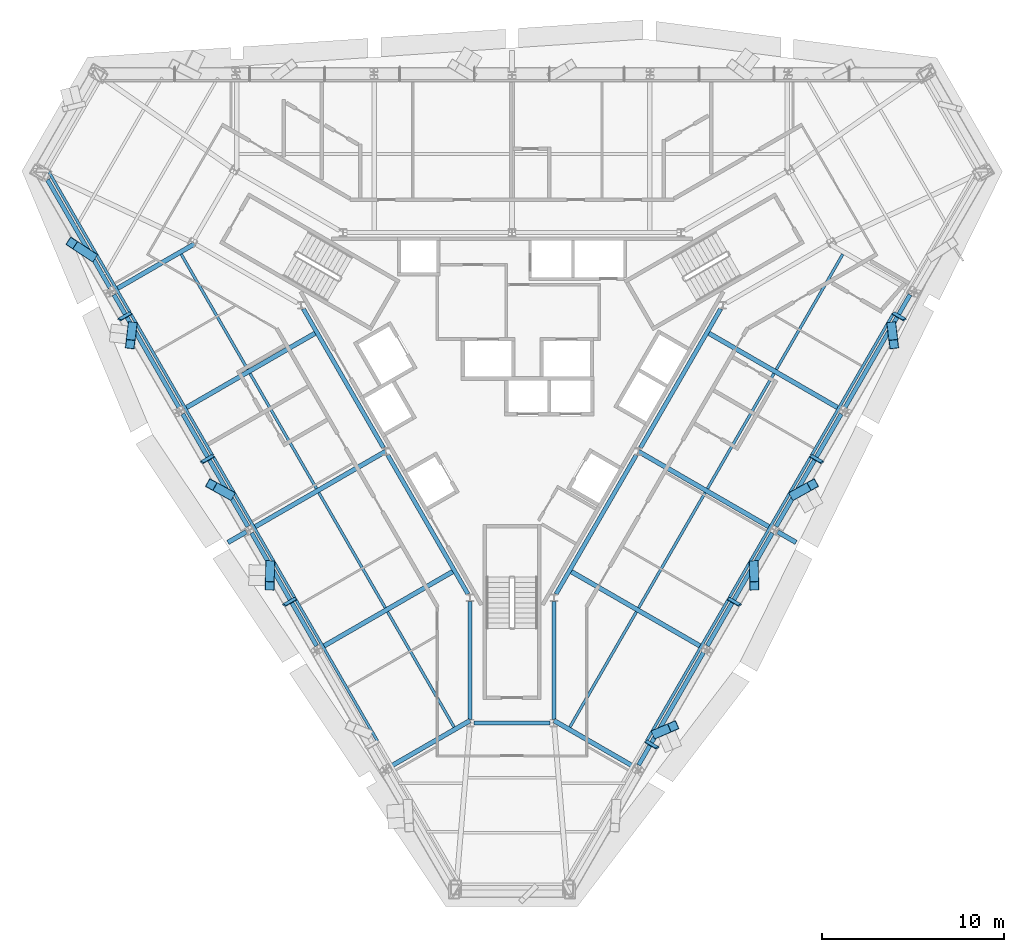
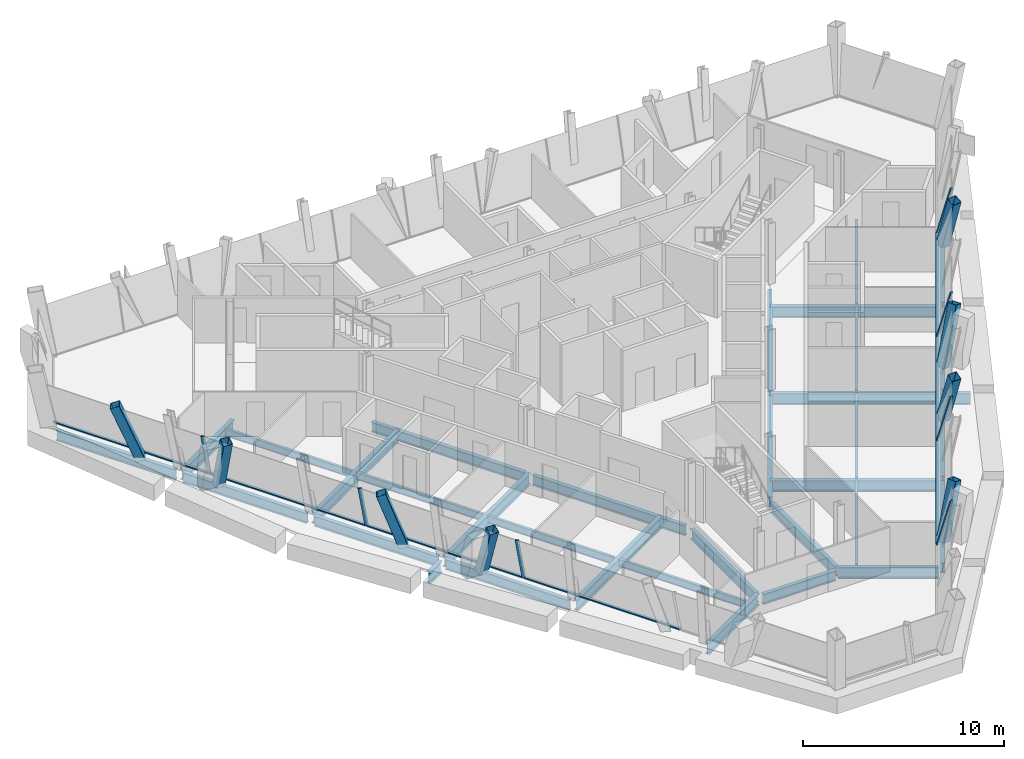
# One storey, part 2 of 11: 34 beams, 22 members, 2 elements without a shape of their own.
"""IFC4 building model written with IfcOpenShell, lengths in metres."""

from ifc_helpers import new_model, si_unit, direction, frame, origin, origin_2d, place, context, subcontext, project, spatial, rectangle, hollow_rectangle, i_section, extrude, material, material_profile, profile_set, type_object, element, aggregate, save


model = new_model("IFC4")

# Units and contexts
model_context = context("Model", 3, precision=1e-05, world=origin(), true_north=direction((0.0, 1.0)))
body_context = subcontext(model_context, "Body", "Model", "MODEL_VIEW")
ifc_project = project(units=[si_unit("LENGTHUNIT", "METRE"), si_unit("AREAUNIT", "SQUARE_METRE"), si_unit("VOLUMEUNIT", "CUBIC_METRE"), si_unit("PLANEANGLEUNIT", "RADIAN"), si_unit("MASSUNIT", "GRAM", prefix="KILO")], contexts=[model_context])

# Site, building, storey
site_placement = place(None, origin())
site = spatial("IfcSite", under=ifc_project, at=site_placement, CompositionType="ELEMENT")
building_placement = place(site_placement, origin())
building = spatial("IfcBuilding", under=site, at=building_placement, Name="Verrane Prism Tower", CompositionType="ELEMENT")
storey_placement = place(building_placement, frame((0.0, 0.0, 156.199951171875)))
storey = spatial("IfcBuildingStorey", under=building, at=storey_placement, Name="L38", CompositionType="ELEMENT", Elevation=156.199951171875)

# Beams
ifc_material_1 = material(Name="Steel A992", Category="steel")
ifc_material_profile_1 = material_profile(ifc_material_1, i_section(OverallWidth=0.23046875, OverallDepth=0.6171875, WebThickness=0.01318359375, FlangeThickness=0.022216796875, FilletRadius=0.012939453125, at=origin_2d()), Name="W24x94")
ifc_profile_set_1 = profile_set([ifc_material_profile_1], Name="Steel A992")
beam_type_1 = type_object("IfcBeamType", Name="Core ring girder W24x94", PredefinedType="BEAM", material=ifc_profile_set_1)
beam_1_placement = place(storey_placement, frame((-11.44482421875, 3.820556640625, -0.55859375), z_axis=(0.499967414725, -0.866044216084, 0.0), x_axis=(0.866044216084, 0.499967414725, 0.0)))
element("IfcBeam", 1, at=beam_1_placement, inside=storey, type_object=beam_type_1, Name="Core ring girder L38", PredefinedType="BEAM", context=body_context, shape_type="SweptSolid", body=[
    extrude(i_section(OverallWidth=0.23046875, OverallDepth=0.6171875, WebThickness=0.01318359375, FlangeThickness=0.022216796875, FilletRadius=0.012939453125, at=origin_2d()), origin(), (0.0, 0.0, 1.0), 8.7998046875),
])
beam_2_placement = place(storey_placement, frame((-6.81494140625, -4.199462890625, -0.55859375), z_axis=(0.499988222896, -0.866032203192, 0.0), x_axis=(0.866032203192, 0.499988222896, 0.0)))
element("IfcBeam", 2, at=beam_2_placement, inside=storey, type_object=beam_type_1, Name="Core ring girder L38", PredefinedType="BEAM", context=body_context, shape_type="SweptSolid", body=[
    extrude(i_section(OverallWidth=0.23046875, OverallDepth=0.6171875, WebThickness=0.01318359375, FlangeThickness=0.022216796875, FilletRadius=0.012939453125, at=origin_2d()), origin(), (0.0, 0.0, 1.0), 8.800048828125),
])
beam_3_placement = place(storey_placement, frame((-2.300048828125, -12.219482421875, -0.55859375), z_axis=(0.0, -1.0, 0.0), x_axis=(1.0, 0.0, 0.0)))
element("IfcBeam", 3, at=beam_3_placement, inside=storey, type_object=beam_type_1, Name="Core ring girder L38", PredefinedType="BEAM", context=body_context, shape_type="SweptSolid", body=[
    extrude(i_section(OverallWidth=0.23046875, OverallDepth=0.6171875, WebThickness=0.01318359375, FlangeThickness=0.022216796875, FilletRadius=0.012939453125, at=origin_2d()), origin(), (0.0, 0.0, 1.0), 6.47216796875),
])
beam_4_placement = place(storey_placement, frame((-2.0966796875, -18.89990234375, -0.55859375), z_axis=(1.0, 0.0, 0.0), x_axis=(0.0, 1.0, 0.0)))
element("IfcBeam", 4, at=beam_4_placement, inside=storey, type_object=beam_type_1, Name="Core ring girder L38", PredefinedType="BEAM", context=body_context, shape_type="SweptSolid", body=[
    extrude(i_section(OverallWidth=0.23046875, OverallDepth=0.6171875, WebThickness=0.01318359375, FlangeThickness=0.022216796875, FilletRadius=0.012939453125, at=origin_2d()), origin(), (0.0, 0.0, 1.0), 4.193359375),
])
beam_5_placement = place(storey_placement, frame((2.300048828125, -18.691650390625, -0.55859375), z_axis=(0.0, 1.0, 0.0), x_axis=(-1.0, 0.0, 0.0)))
element("IfcBeam", 5, at=beam_5_placement, inside=storey, type_object=beam_type_1, Name="Core ring girder L38", PredefinedType="BEAM", context=body_context, shape_type="SweptSolid", body=[
    extrude(i_section(OverallWidth=0.23046875, OverallDepth=0.6171875, WebThickness=0.01318359375, FlangeThickness=0.022216796875, FilletRadius=0.012939453125, at=origin_2d()), origin(), (0.0, 0.0, 1.0), 6.47216796875),
])
beam_6_placement = place(storey_placement, frame((2.4150390625, -11.820556640625, -0.55859375), z_axis=(0.499988222896, 0.866032203192, 0.0), x_axis=(-0.866032203192, 0.499988222896, 0.0)))
element("IfcBeam", 6, at=beam_6_placement, inside=storey, type_object=beam_type_1, Name="Core ring girder L38", PredefinedType="BEAM", context=body_context, shape_type="SweptSolid", body=[
    extrude(i_section(OverallWidth=0.23046875, OverallDepth=0.6171875, WebThickness=0.01318359375, FlangeThickness=0.022216796875, FilletRadius=0.012939453125, at=origin_2d()), origin(), (0.0, 0.0, 1.0), 8.800048828125),
])
beam_7_placement = place(storey_placement, frame((7.045166015625, -3.800537109375, -0.55859375), z_axis=(0.499967414725, 0.866044216084, 0.0), x_axis=(-0.866044216084, 0.499967414725, 0.0)))
element("IfcBeam", 7, at=beam_7_placement, inside=storey, type_object=beam_type_1, Name="Core ring girder L38", PredefinedType="BEAM", context=body_context, shape_type="SweptSolid", body=[
    extrude(i_section(OverallWidth=0.23046875, OverallDepth=0.6171875, WebThickness=0.01318359375, FlangeThickness=0.022216796875, FilletRadius=0.012939453125, at=origin_2d()), origin(), (0.0, 0.0, 1.0), 8.7998046875),
])

# Members
ifc_material_2 = material(Name="Steel A500 Grade C", Category="steel")
ifc_material_profile_2 = material_profile(ifc_material_2, hollow_rectangle(XDim=0.508056640625, YDim=0.508056640625, WallThickness=0.01904296875, InnerFilletRadius=0.009521484375, OuterFilletRadius=0.028564453125, at=origin_2d()), Name="HSS20x20x3/4")
ifc_profile_set_2 = profile_set([ifc_material_profile_2], Name="Steel A500 Grade C")
member_type_1 = type_object("IfcMemberType", Name="Facade brace HSS20x20x3/4", PredefinedType="BRACE", material=ifc_profile_set_2)
member_1_placement = place(storey_placement, frame((-23.055908203125, 6.715087890625, -0.216552734375), z_axis=(-0.31514104765, 0.207688914904, 0.92604073059), x_axis=(-0.550280695581, -0.834979733928, 0.0)))
element("IfcMember", 8, at=member_1_placement, inside=storey, type_object=member_type_1, Name="Facade brace SW0 L38", PredefinedType="BRACE", context=body_context, shape_type="SweptSolid", body=[
    extrude(hollow_rectangle(XDim=0.508056640625, YDim=0.508056640625, WallThickness=0.01904296875, InnerFilletRadius=0.009521484375, OuterFilletRadius=0.028564453125, at=origin_2d()), origin(), (0.0, 0.0, 1.0), 3.451416015625),
])
member_2_placement = place(storey_placement, frame((-20.822021484375, 2.84814453125, -0.216552734375), z_axis=(-0.034707856505, -0.289500057837, 0.956548525277), x_axis=(0.992889876552, -0.119036519778, 0.0)))
element("IfcMember", 9, at=member_2_placement, inside=storey, type_object=member_type_1, Name="Facade brace SW1 L38", PredefinedType="BRACE", context=body_context, shape_type="SweptSolid", body=[
    extrude(hollow_rectangle(XDim=0.508056640625, YDim=0.508056640625, WallThickness=0.01904296875, InnerFilletRadius=0.009521484375, OuterFilletRadius=0.028564453125, at=origin_2d()), origin(), (0.0, 0.0, 1.0), 3.34130859375),
])
for number, where, z_axis, x_axis, name in (
    (10, (-15.49853515625, -6.367919921875, -0.216552734375), (-0.2930090149, 0.162374929407, 0.942220833715), (-0.484712294564, -0.874673648568, 0.0), "Facade brace SW2 L38"),
    (11, (-13.264404296875, -10.235107421875, -0.216552734375), (-0.006693385623, -0.335029140606, 0.942183991338), (0.999800489138, -0.019974531792, 0.0), "Facade brace SW3 L38"),
):
    element("IfcMember", number, at=place(storey_placement, frame(where, z_axis=z_axis, x_axis=x_axis)), inside=storey, type_object=member_type_1, Name=name, PredefinedType="BRACE", context=body_context, shape_type="SweptSolid", body=[
        extrude(hollow_rectangle(XDim=0.508056640625, YDim=0.508056640625, WallThickness=0.01904296875, InnerFilletRadius=0.009521484375, OuterFilletRadius=0.028564453125, at=origin_2d()), origin(), (0.0, 0.0, 1.0), 3.39208984375),
    ])
member_3_placement = place(storey_placement, frame((7.94775390625, -19.458251953125, -0.216552734375), z_axis=(0.267819307793, 0.114654432176, 0.956622798994), x_axis=(-0.393555993341, 0.919300647289, 0.0)))
element("IfcMember", 12, at=member_3_placement, inside=storey, type_object=member_type_1, Name="Facade brace SE1 L38", PredefinedType="BRACE", context=body_context, shape_type="SweptSolid", body=[
    extrude(hollow_rectangle(XDim=0.508056640625, YDim=0.508056640625, WallThickness=0.01904296875, InnerFilletRadius=0.009521484375, OuterFilletRadius=0.028564453125, at=origin_2d()), origin(), (0.0, 0.0, 1.0), 3.341064453125),
])
for number, where, z_axis, x_axis, name in (
    (13, (13.264404296875, -10.235107421875, -0.216552734375), (0.006693385623, -0.335029140606, 0.942183991338), (0.999800489138, 0.019974531792, 0.0), "Facade brace SE2 L38"),
    (14, (15.49853515625, -6.367919921875, -0.216552734375), (0.2930090149, 0.162374929407, 0.942220833715), (-0.484712294564, 0.874673648568, 0.0), "Facade brace SE3 L38"),
):
    element("IfcMember", number, at=place(storey_placement, frame(where, z_axis=z_axis, x_axis=x_axis)), inside=storey, type_object=member_type_1, Name=name, PredefinedType="BRACE", context=body_context, shape_type="SweptSolid", body=[
        extrude(hollow_rectangle(XDim=0.508056640625, YDim=0.508056640625, WallThickness=0.01904296875, InnerFilletRadius=0.009521484375, OuterFilletRadius=0.028564453125, at=origin_2d()), origin(), (0.0, 0.0, 1.0), 3.39208984375),
    ])
member_4_placement = place(storey_placement, frame((20.822021484375, 2.84814453125, -0.216552734375), z_axis=(0.034707856505, -0.289500057837, 0.956548525277), x_axis=(0.992889876552, 0.119036519778, 0.0)))
element("IfcMember", 15, at=member_4_placement, inside=storey, type_object=member_type_1, Name="Facade brace SE4 L38", PredefinedType="BRACE", context=body_context, shape_type="SweptSolid", body=[
    extrude(hollow_rectangle(XDim=0.508056640625, YDim=0.508056640625, WallThickness=0.01904296875, InnerFilletRadius=0.009521484375, OuterFilletRadius=0.028564453125, at=origin_2d()), origin(), (0.0, 0.0, 1.0), 3.34130859375),
])

# Beams
ifc_material_3 = material(Name="Steel A992", Category="steel")
ifc_material_profile_3 = material_profile(ifc_material_3, i_section(OverallWidth=0.15234375, OverallDepth=0.449462890625, WebThickness=0.007568359375, FlangeThickness=0.0107421875, FilletRadius=0.01025390625, at=origin_2d()), Name="W18x35")
ifc_profile_set_3 = profile_set([ifc_material_profile_3], Name="Steel A992")
beam_type_2 = type_object("IfcBeamType", Name="Floor beam W18x35", PredefinedType="BEAM", material=ifc_profile_set_3)
beam_8_placement = place(storey_placement, frame((-14.493408203125, 0.4951171875, -0.384765625), z_axis=(-0.50001111627, 0.866018985708, 0.0), x_axis=(-0.866018985708, -0.50001111627, 0.0)))
element("IfcBeam", 16, at=beam_8_placement, inside=storey, type_object=beam_type_2, Name="Floor beam L38", PredefinedType="BEAM", context=body_context, shape_type="SweptSolid", body=[
    extrude(i_section(OverallWidth=0.15234375, OverallDepth=0.449462890625, WebThickness=0.007568359375, FlangeThickness=0.0107421875, FilletRadius=0.01025390625, at=origin_2d()), origin(), (0.0, 0.0, 1.0), 7.296630859375),
])
beam_9_placement = place(storey_placement, frame((-10.719970703125, -6.041015625, -0.384765625), z_axis=(-0.499998707891, 0.866026149782, 0.0), x_axis=(-0.866026149782, -0.499998707891, 0.0)))
element("IfcBeam", 17, at=beam_9_placement, inside=storey, type_object=beam_type_2, Name="Floor beam L38", PredefinedType="BEAM", context=body_context, shape_type="SweptSolid", body=[
    extrude(i_section(OverallWidth=0.15234375, OverallDepth=0.449462890625, WebThickness=0.007568359375, FlangeThickness=0.0107421875, FilletRadius=0.01025390625, at=origin_2d()), origin(), (0.0, 0.0, 1.0), 7.29296875),
])
beam_10_placement = place(storey_placement, frame((-6.9462890625, -12.57861328125, -0.384765625), z_axis=(-0.500012159746, 0.866018383238, 0.0), x_axis=(-0.866018383238, -0.500012159746, 0.0)))
element("IfcBeam", 18, at=beam_10_placement, inside=storey, type_object=beam_type_2, Name="Floor beam L38", PredefinedType="BEAM", context=body_context, shape_type="SweptSolid", body=[
    extrude(i_section(OverallWidth=0.15234375, OverallDepth=0.449462890625, WebThickness=0.007568359375, FlangeThickness=0.0107421875, FilletRadius=0.01025390625, at=origin_2d()), origin(), (0.0, 0.0, 1.0), 7.294677734375),
])
for number, where, z_axis, x_axis, name in (
    (19, (-3.174072265625, -19.117919921875, -0.384765625), (-0.499983176524, 0.866035116605, 0.0), (-0.866035116605, -0.499983176524, 0.0), "Floor beam L38"),
    (20, (3.174072265625, -19.117919921875, -0.384765625), (0.499983176524, 0.866035116605, 0.0), (-0.866035116605, 0.499983176524, 0.0), "Floor beam L38"),
):
    element("IfcBeam", number, at=place(storey_placement, frame(where, z_axis=z_axis, x_axis=x_axis)), inside=storey, type_object=beam_type_2, Name=name, PredefinedType="BEAM", context=body_context, shape_type="SweptSolid", body=[
        extrude(i_section(OverallWidth=0.15234375, OverallDepth=0.449462890625, WebThickness=0.007568359375, FlangeThickness=0.0107421875, FilletRadius=0.01025390625, at=origin_2d()), origin(), (0.0, 0.0, 1.0), 7.295166015625),
    ])
beam_11_placement = place(storey_placement, frame((6.9462890625, -12.57861328125, -0.384765625), z_axis=(0.500012159746, 0.866018383238, 0.0), x_axis=(-0.866018383238, 0.500012159746, 0.0)))
element("IfcBeam", 21, at=beam_11_placement, inside=storey, type_object=beam_type_2, Name="Floor beam L38", PredefinedType="BEAM", context=body_context, shape_type="SweptSolid", body=[
    extrude(i_section(OverallWidth=0.15234375, OverallDepth=0.449462890625, WebThickness=0.007568359375, FlangeThickness=0.0107421875, FilletRadius=0.01025390625, at=origin_2d()), origin(), (0.0, 0.0, 1.0), 7.294677734375),
])
beam_12_placement = place(storey_placement, frame((10.719970703125, -6.041015625, -0.384765625), z_axis=(0.499998707891, 0.866026149782, 0.0), x_axis=(-0.866026149782, 0.499998707891, 0.0)))
element("IfcBeam", 22, at=beam_12_placement, inside=storey, type_object=beam_type_2, Name="Floor beam L38", PredefinedType="BEAM", context=body_context, shape_type="SweptSolid", body=[
    extrude(i_section(OverallWidth=0.15234375, OverallDepth=0.449462890625, WebThickness=0.007568359375, FlangeThickness=0.0107421875, FilletRadius=0.01025390625, at=origin_2d()), origin(), (0.0, 0.0, 1.0), 7.29296875),
])
beam_13_placement = place(storey_placement, frame((14.493408203125, 0.4951171875, -0.384765625), z_axis=(0.50001111627, 0.866018985708, 0.0), x_axis=(-0.866018985708, 0.50001111627, 0.0)))
element("IfcBeam", 23, at=beam_13_placement, inside=storey, type_object=beam_type_2, Name="Floor beam L38", PredefinedType="BEAM", context=body_context, shape_type="SweptSolid", body=[
    extrude(i_section(OverallWidth=0.15234375, OverallDepth=0.449462890625, WebThickness=0.007568359375, FlangeThickness=0.0107421875, FilletRadius=0.01025390625, at=origin_2d()), origin(), (0.0, 0.0, 1.0), 7.296630859375),
])

# Curtain wall, members
ifc_material_4 = material(Name="Aluminium framed insulated glazing", Category="aluminium")
curtain_wall_type = type_object("IfcCurtainWallType", Name="Curtain wall CW-A 8400 module", PredefinedType="NOTDEFINED", material=ifc_material_4)
curtain_wall_1_placement = place(storey_placement, origin())
curtain_wall_1 = element("IfcCurtainWall", 24, at=curtain_wall_1_placement, inside=storey, type_object=curtain_wall_type, Name="Glazed curtain wall south-west face L38", PredefinedType="NOTDEFINED")
ifc_material_5 = material(Name="Aluminium alloy 6063-T6", Category="aluminium")
ifc_material_profile_4 = material_profile(ifc_material_5, rectangle(XDim=0.199951171875, YDim=0.070068359375, at=origin_2d()), Name="Mullion 70x200 aluminium")
ifc_profile_set_4 = profile_set([ifc_material_profile_4], Name="Aluminium alloy 6063-T6")
member_type_2 = type_object("IfcMemberType", Name="Mullion 70x200 aluminium", PredefinedType="MULLION", material=ifc_profile_set_4)
member_5_placement = place(storey_placement, frame((-20.923095703125, 3.57763671875, 0.0), z_axis=(-0.216281843291, -0.124958969895, 0.968301306467), x_axis=(0.852455726003, -0.50766234556, 0.124892666343)))
member_5 = element("IfcMember", 25, at=member_5_placement, type_object=member_type_2, Name="CW36.4 mullion 2", PredefinedType="MULLION", context=body_context, shape_type="SweptSolid", body=[
    extrude(rectangle(XDim=0.199951171875, YDim=0.070068359375, at=origin_2d()), origin(), (0.0, 0.0, 1.0), 2.8017578125),
])
member_6_placement = place(storey_placement, frame((-16.403076171875, -4.251220703125, 0.0), z_axis=(-0.216367259975, -0.124870835096, 0.968293593572), x_axis=(0.852210372417, -0.508070436891, 0.124907615069)))
member_6 = element("IfcMember", 26, at=member_6_placement, type_object=member_type_2, Name="CW36.4 mullion 3", PredefinedType="MULLION", context=body_context, shape_type="SweptSolid", body=[
    extrude(rectangle(XDim=0.199951171875, YDim=0.070068359375, at=origin_2d()), origin(), (0.0, 0.0, 1.0), 2.8017578125),
])
member_7_placement = place(storey_placement, frame((-11.883056640625, -12.079833984375, 0.0), z_axis=(-0.216364904862, -0.124956614407, 0.968283053895), x_axis=(0.852359238009, -0.507815630269, 0.124928039432)))
member_7 = element("IfcMember", 27, at=member_7_placement, type_object=member_type_2, Name="CW36.4 mullion 4", PredefinedType="MULLION", context=body_context, shape_type="SweptSolid", body=[
    extrude(rectangle(XDim=0.199951171875, YDim=0.070068359375, at=origin_2d()), origin(), (0.0, 0.0, 1.0), 2.8017578125),
])

curtain_wall_2_placement = place(storey_placement, origin())
curtain_wall_2 = element("IfcCurtainWall", 28, at=curtain_wall_2_placement, inside=storey, type_object=curtain_wall_type, Name="Glazed curtain wall south-east face L38", PredefinedType="NOTDEFINED")
member_8_placement = place(storey_placement, frame((7.36328125, -19.90869140625, 0.0), z_axis=(0.216367259975, -0.124870835096, 0.968293593572), x_axis=(-0.852210372417, -0.508070436891, 0.124907615069)))
member_8 = element("IfcMember", 29, at=member_8_placement, type_object=member_type_2, Name="CW36.6 mullion 2", PredefinedType="MULLION", context=body_context, shape_type="SweptSolid", body=[
    extrude(rectangle(XDim=0.199951171875, YDim=0.070068359375, at=origin_2d()), origin(), (0.0, 0.0, 1.0), 2.8017578125),
])
member_9_placement = place(storey_placement, frame((11.883056640625, -12.079833984375, 0.0), z_axis=(0.216364904862, -0.124956614407, 0.968283053895), x_axis=(-0.852359238009, -0.507815630269, 0.124928039432)))
member_9 = element("IfcMember", 30, at=member_9_placement, type_object=member_type_2, Name="CW36.6 mullion 3", PredefinedType="MULLION", context=body_context, shape_type="SweptSolid", body=[
    extrude(rectangle(XDim=0.199951171875, YDim=0.070068359375, at=origin_2d()), origin(), (0.0, 0.0, 1.0), 2.8017578125),
])
member_10_placement = place(storey_placement, frame((16.403076171875, -4.251220703125, 0.0), z_axis=(0.216367259975, -0.124870835096, 0.968293593572), x_axis=(-0.852210372417, -0.508070436891, 0.124907615069)))
member_10 = element("IfcMember", 31, at=member_10_placement, type_object=member_type_2, Name="CW36.6 mullion 4", PredefinedType="MULLION", context=body_context, shape_type="SweptSolid", body=[
    extrude(rectangle(XDim=0.199951171875, YDim=0.070068359375, at=origin_2d()), origin(), (0.0, 0.0, 1.0), 2.8017578125),
])
member_11_placement = place(storey_placement, frame((20.923095703125, 3.57763671875, 0.0), z_axis=(0.216364904862, -0.124956614407, 0.968283053895), x_axis=(-0.852359238009, -0.507815630269, 0.124928039432)))
member_11 = element("IfcMember", 32, at=member_11_placement, type_object=member_type_2, Name="CW36.6 mullion 5", PredefinedType="MULLION", context=body_context, shape_type="SweptSolid", body=[
    extrude(rectangle(XDim=0.199951171875, YDim=0.070068359375, at=origin_2d()), origin(), (0.0, 0.0, 1.0), 2.8017578125),
])

# Beams
ifc_material_6 = material(Name="Steel A992", Category="steel")
ifc_material_profile_5 = material_profile(ifc_material_6, i_section(OverallWidth=0.25390625, OverallDepth=0.683349609375, WebThickness=0.012451171875, FlangeThickness=0.01904296875, FilletRadius=0.01513671875, at=origin_2d()), Name="W27x94")
ifc_profile_set_5 = profile_set([ifc_material_profile_5], Name="Steel A992")
beam_type_3 = type_object("IfcBeamType", Name="Radial girder W27x94", PredefinedType="BEAM", material=ifc_profile_set_5)
beam_14_placement = place(storey_placement, frame((-21.741943359375, 4.878662109375, -0.5615234375), z_axis=(0.866016279763, 0.500015802937, 0.0), x_axis=(-0.500015802937, 0.866016279763, 0.0)))
element("IfcBeam", 33, at=beam_14_placement, inside=storey, type_object=beam_type_3, Name="Radial girder L38", PredefinedType="BEAM", context=body_context, shape_type="SweptSolid", body=[
    extrude(i_section(OverallWidth=0.25390625, OverallDepth=0.683349609375, WebThickness=0.012451171875, FlangeThickness=0.01904296875, FilletRadius=0.01513671875, at=origin_2d()), origin(), (0.0, 0.0, 1.0), 5.018798828125),
])
beam_15_placement = place(storey_placement, frame((-17.971923828125, -1.661376953125, -0.5615234375), z_axis=(0.866025742774, 0.499999412853, 0.0), x_axis=(-0.499999412853, 0.866025742774, 0.0)))
element("IfcBeam", 34, at=beam_15_placement, inside=storey, type_object=beam_type_3, Name="Radial girder L38", PredefinedType="BEAM", context=body_context, shape_type="SweptSolid", body=[
    extrude(i_section(OverallWidth=0.25390625, OverallDepth=0.683349609375, WebThickness=0.012451171875, FlangeThickness=0.01904296875, FilletRadius=0.01513671875, at=origin_2d()), origin(), (0.0, 0.0, 1.0), 8.3935546875),
])
beam_16_placement = place(storey_placement, frame((-14.19189453125, -8.19140625, -0.5615234375), z_axis=(0.866027030928, 0.499997181693, 0.0), x_axis=(-0.499997181693, 0.866027030928, 0.0)))
element("IfcBeam", 35, at=beam_16_placement, inside=storey, type_object=beam_type_3, Name="Radial girder L38", PredefinedType="BEAM", context=body_context, shape_type="SweptSolid", body=[
    extrude(i_section(OverallWidth=0.25390625, OverallDepth=0.683349609375, WebThickness=0.012451171875, FlangeThickness=0.01904296875, FilletRadius=0.01513671875, at=origin_2d()), origin(), (0.0, 0.0, 1.0), 8.384765625),
])
beam_17_placement = place(storey_placement, frame((-10.421875, -14.7314453125, -0.5615234375), z_axis=(0.866017422895, 0.500013823051, 0.0), x_axis=(-0.500013823051, 0.866017422895, 0.0)))
element("IfcBeam", 36, at=beam_17_placement, inside=storey, type_object=beam_type_3, Name="Radial girder L38", PredefinedType="BEAM", context=body_context, shape_type="SweptSolid", body=[
    extrude(i_section(OverallWidth=0.25390625, OverallDepth=0.683349609375, WebThickness=0.012451171875, FlangeThickness=0.01904296875, FilletRadius=0.01513671875, at=origin_2d()), origin(), (0.0, 0.0, 1.0), 8.389404296875),
])
for number, where, z_axis, x_axis, name in (
    (37, (-6.65185546875, -21.271484375, -0.5615234375), (0.866010015463, 0.500026652407, 0.0), (-0.500026652407, 0.866010015463, 0.0), "Radial girder L38"),
    (38, (6.65185546875, -21.271484375, -0.5615234375), (-0.866010015463, 0.500026652407, 0.0), (-0.500026652407, -0.866010015463, 0.0), "Radial girder L38"),
):
    element("IfcBeam", number, at=place(storey_placement, frame(where, z_axis=z_axis, x_axis=x_axis)), inside=storey, type_object=beam_type_3, Name=name, PredefinedType="BEAM", context=body_context, shape_type="SweptSolid", body=[
        extrude(i_section(OverallWidth=0.25390625, OverallDepth=0.683349609375, WebThickness=0.012451171875, FlangeThickness=0.01904296875, FilletRadius=0.01513671875, at=origin_2d()), origin(), (0.0, 0.0, 1.0), 5.025146484375),
    ])
beam_18_placement = place(storey_placement, frame((10.421875, -14.7314453125, -0.5615234375), z_axis=(-0.866017422895, 0.500013823051, 0.0), x_axis=(-0.500013823051, -0.866017422895, 0.0)))
element("IfcBeam", 39, at=beam_18_placement, inside=storey, type_object=beam_type_3, Name="Radial girder L38", PredefinedType="BEAM", context=body_context, shape_type="SweptSolid", body=[
    extrude(i_section(OverallWidth=0.25390625, OverallDepth=0.683349609375, WebThickness=0.012451171875, FlangeThickness=0.01904296875, FilletRadius=0.01513671875, at=origin_2d()), origin(), (0.0, 0.0, 1.0), 8.389404296875),
])
beam_19_placement = place(storey_placement, frame((14.19189453125, -8.19140625, -0.5615234375), z_axis=(-0.866027030928, 0.499997181693, 0.0), x_axis=(-0.499997181693, -0.866027030928, 0.0)))
element("IfcBeam", 40, at=beam_19_placement, inside=storey, type_object=beam_type_3, Name="Radial girder L38", PredefinedType="BEAM", context=body_context, shape_type="SweptSolid", body=[
    extrude(i_section(OverallWidth=0.25390625, OverallDepth=0.683349609375, WebThickness=0.012451171875, FlangeThickness=0.01904296875, FilletRadius=0.01513671875, at=origin_2d()), origin(), (0.0, 0.0, 1.0), 8.384765625),
])
beam_20_placement = place(storey_placement, frame((17.971923828125, -1.661376953125, -0.5615234375), z_axis=(-0.866025742774, 0.499999412853, 0.0), x_axis=(-0.499999412853, -0.866025742774, 0.0)))
element("IfcBeam", 41, at=beam_20_placement, inside=storey, type_object=beam_type_3, Name="Radial girder L38", PredefinedType="BEAM", context=body_context, shape_type="SweptSolid", body=[
    extrude(i_section(OverallWidth=0.25390625, OverallDepth=0.683349609375, WebThickness=0.012451171875, FlangeThickness=0.01904296875, FilletRadius=0.01513671875, at=origin_2d()), origin(), (0.0, 0.0, 1.0), 8.3935546875),
])
for number, where, z_axis, x_axis, name in (
    (42, (-14.564697265625, -8.406494140625, -0.5615234375), (-0.86592915448, -0.500166671641, 0.0), (0.500166671641, -0.86592915448, 0.0), "Cantilever girder L38"),
    (43, (14.564697265625, -8.406494140625, -0.5615234375), (0.866019260715, -0.500010639957, 0.0), (0.500010639957, 0.866019260715, 0.0), "Cantilever girder L38"),
):
    element("IfcBeam", number, at=place(storey_placement, frame(where, z_axis=z_axis, x_axis=x_axis)), inside=storey, type_object=beam_type_3, Name=name, PredefinedType="BEAM", context=body_context, shape_type="SweptSolid", body=[
        extrude(i_section(OverallWidth=0.25390625, OverallDepth=0.683349609375, WebThickness=0.012451171875, FlangeThickness=0.01904296875, FilletRadius=0.01513671875, at=origin_2d()), origin(), (0.0, 0.0, 1.0), 1.17333984375),
    ])
ifc_material_7 = material(Name="Steel A992", Category="steel")
ifc_material_profile_6 = material_profile(ifc_material_7, i_section(OverallWidth=0.23046875, OverallDepth=0.6171875, WebThickness=0.01318359375, FlangeThickness=0.022216796875, FilletRadius=0.012939453125, at=origin_2d()), Name="W24x94")
ifc_profile_set_6 = profile_set([ifc_material_profile_6], Name="Steel A992")
beam_type_4 = type_object("IfcBeamType", Name="Spandrel beam W24x94", PredefinedType="SPANDREL", material=ifc_profile_set_6)
beam_21_placement = place(storey_placement, frame((-25.478759765625, 10.900390625, -0.468505859375), z_axis=(0.500974701182, -0.865461927976, 0.0), x_axis=(0.865461927976, 0.500974701182, 0.0)))
element("IfcBeam", 44, at=beam_21_placement, inside=storey, type_object=beam_type_4, Name="Spandrel beam L38", PredefinedType="SPANDREL", context=body_context, shape_type="SweptSolid", body=[
    extrude(i_section(OverallWidth=0.23046875, OverallDepth=0.6171875, WebThickness=0.01318359375, FlangeThickness=0.022216796875, FilletRadius=0.012939453125, at=origin_2d()), origin(), (0.0, 0.0, 1.0), 6.877685546875),
])
beam_22_placement = place(storey_placement, frame((-21.827392578125, 4.591796875, -0.468505859375), z_axis=(0.499432230493, -0.866352957601, 0.0), x_axis=(0.866352957601, 0.499432230493, 0.0)))
element("IfcBeam", 45, at=beam_22_placement, inside=storey, type_object=beam_type_4, Name="Spandrel beam L38", PredefinedType="SPANDREL", context=body_context, shape_type="SweptSolid", body=[
    extrude(i_section(OverallWidth=0.23046875, OverallDepth=0.6171875, WebThickness=0.01318359375, FlangeThickness=0.022216796875, FilletRadius=0.012939453125, at=origin_2d()), origin(), (0.0, 0.0, 1.0), 7.137451171875),
])
beam_23_placement = place(storey_placement, frame((-18.056884765625, -1.947998046875, -0.468505859375), z_axis=(0.500974211218, -0.865462211592, 0.0), x_axis=(0.865462211592, 0.500974211218, 0.0)))
element("IfcBeam", 46, at=beam_23_placement, inside=storey, type_object=beam_type_4, Name="Spandrel beam L38", PredefinedType="SPANDREL", context=body_context, shape_type="SweptSolid", body=[
    extrude(i_section(OverallWidth=0.23046875, OverallDepth=0.6171875, WebThickness=0.01318359375, FlangeThickness=0.022216796875, FilletRadius=0.012939453125, at=origin_2d()), origin(), (0.0, 0.0, 1.0), 7.133544921875),
])
for number, where, z_axis, x_axis, name in (
    (47, (-14.27734375, -8.478271484375, -0.468505859375), (0.499432230493, -0.866352957601, 0.0), (0.866352957601, 0.499432230493, 0.0), "Spandrel beam L38"),
    (48, (6.942626953125, -21.201904296875, -0.468505859375), (0.499432230493, 0.866352957601, 0.0), (-0.866352957601, 0.499432230493, 0.0), "Spandrel beam L38"),
    (49, (10.712646484375, -14.661865234375, -0.468505859375), (0.499432230493, 0.866352957601, 0.0), (-0.866352957601, 0.499432230493, 0.0), "Spandrel beam L38"),
):
    element("IfcBeam", number, at=place(storey_placement, frame(where, z_axis=z_axis, x_axis=x_axis)), inside=storey, type_object=beam_type_4, Name=name, PredefinedType="SPANDREL", context=body_context, shape_type="SweptSolid", body=[
        extrude(i_section(OverallWidth=0.23046875, OverallDepth=0.6171875, WebThickness=0.01318359375, FlangeThickness=0.022216796875, FilletRadius=0.012939453125, at=origin_2d()), origin(), (0.0, 0.0, 1.0), 7.137451171875),
    ])
beam_24_placement = place(storey_placement, frame((14.483154296875, -8.121826171875, -0.468505859375), z_axis=(0.500974211218, 0.865462211592, 0.0), x_axis=(-0.865462211592, 0.500974211218, 0.0)))
element("IfcBeam", 50, at=beam_24_placement, inside=storey, type_object=beam_type_4, Name="Spandrel beam L38", PredefinedType="SPANDREL", context=body_context, shape_type="SweptSolid", body=[
    extrude(i_section(OverallWidth=0.23046875, OverallDepth=0.6171875, WebThickness=0.01318359375, FlangeThickness=0.022216796875, FilletRadius=0.012939453125, at=origin_2d()), origin(), (0.0, 0.0, 1.0), 7.133544921875),
])
beam_25_placement = place(storey_placement, frame((18.2626953125, -1.591796875, -0.468505859375), z_axis=(0.499432230493, 0.866352957601, 0.0), x_axis=(-0.866352957601, 0.499432230493, 0.0)))
element("IfcBeam", 51, at=beam_25_placement, inside=storey, type_object=beam_type_4, Name="Spandrel beam L38", PredefinedType="SPANDREL", context=body_context, shape_type="SweptSolid", body=[
    extrude(i_section(OverallWidth=0.23046875, OverallDepth=0.6171875, WebThickness=0.01318359375, FlangeThickness=0.022216796875, FilletRadius=0.012939453125, at=origin_2d()), origin(), (0.0, 0.0, 1.0), 7.137451171875),
])

# Member
ifc_material_8 = material(Name="Aluminium alloy 6063-T6", Category="aluminium")
ifc_material_profile_7 = material_profile(ifc_material_8, rectangle(XDim=0.14990234375, YDim=0.070068359375, at=origin_2d()), Name="Transom 70x150 aluminium")
ifc_profile_set_7 = profile_set([ifc_material_profile_7], Name="Aluminium alloy 6063-T6")
member_type_3 = type_object("IfcMemberType", Name="Transom 70x150 aluminium", PredefinedType="USERDEFINED", material=ifc_profile_set_7)
member_12_placement = place(storey_placement, frame((-25.407958984375, 11.345703125, 0.03515625), z_axis=(0.500009438539, -0.866019954373, 0.0), x_axis=(0.866019954373, 0.500009438539, 0.0)))
member_12 = element("IfcMember", 52, at=member_12_placement, type_object=member_type_3, Name="CW36.4 transom 1", ObjectType="TRANSOM", PredefinedType="USERDEFINED", context=body_context, shape_type="SweptSolid", body=[
    extrude(rectangle(XDim=0.14990234375, YDim=0.070068359375, at=origin_2d()), origin(), (0.0, 0.0, 1.0), 8.934814453125),
])

member_13_placement = place(storey_placement, frame((-20.905517578125, 3.54736328125, 0.03515625), z_axis=(0.49998554304, -0.866033750353, 0.0), x_axis=(0.866033750353, 0.49998554304, 0.0)))
member_13 = element("IfcMember", 53, at=member_13_placement, type_object=member_type_3, Name="CW36.4 transom 2", ObjectType="TRANSOM", PredefinedType="USERDEFINED", context=body_context, shape_type="SweptSolid", body=[
    extrude(rectangle(XDim=0.14990234375, YDim=0.070068359375, at=origin_2d()), origin(), (0.0, 0.0, 1.0), 8.969970703125),
])

member_14_placement = place(storey_placement, frame((-16.385498046875, -4.281494140625, 0.03515625), z_axis=(0.499997328569, -0.86602694613, 0.0), x_axis=(0.86602694613, 0.499997328569, 0.0)))
member_14 = element("IfcMember", 54, at=member_14_placement, type_object=member_type_3, Name="CW36.4 transom 3", ObjectType="TRANSOM", PredefinedType="USERDEFINED", context=body_context, shape_type="SweptSolid", body=[
    extrude(rectangle(XDim=0.14990234375, YDim=0.070068359375, at=origin_2d()), origin(), (0.0, 0.0, 1.0), 8.9697265625),
])

member_15_placement = place(storey_placement, frame((-11.86572265625, -12.110107421875, 0.03515625), z_axis=(0.500017741834, -0.866015160289, 0.0), x_axis=(0.866015160289, 0.500017741834, 0.0)))
member_15 = element("IfcMember", 55, at=member_15_placement, type_object=member_type_3, Name="CW36.4 transom 4", ObjectType="TRANSOM", PredefinedType="USERDEFINED", context=body_context, shape_type="SweptSolid", body=[
    extrude(rectangle(XDim=0.14990234375, YDim=0.070068359375, at=origin_2d()), origin(), (0.0, 0.0, 1.0), 8.969970703125),
])

aggregate(curtain_wall_1, [member_5, member_6, member_7, member_12, member_13, member_14, member_15])

member_16_placement = place(storey_placement, frame((7.380615234375, -19.878173828125, 0.03515625), z_axis=(0.500017741834, 0.866015160289, 0.0), x_axis=(-0.866015160289, 0.500017741834, 0.0)))
member_16 = element("IfcMember", 56, at=member_16_placement, type_object=member_type_3, Name="CW36.6 transom 2", ObjectType="TRANSOM", PredefinedType="USERDEFINED", context=body_context, shape_type="SweptSolid", body=[
    extrude(rectangle(XDim=0.14990234375, YDim=0.070068359375, at=origin_2d()), origin(), (0.0, 0.0, 1.0), 8.969970703125),
])

member_17_placement = place(storey_placement, frame((11.900634765625, -12.049560546875, 0.03515625), z_axis=(0.499997328569, 0.86602694613, 0.0), x_axis=(-0.86602694613, 0.499997328569, 0.0)))
member_17 = element("IfcMember", 57, at=member_17_placement, type_object=member_type_3, Name="CW36.6 transom 3", ObjectType="TRANSOM", PredefinedType="USERDEFINED", context=body_context, shape_type="SweptSolid", body=[
    extrude(rectangle(XDim=0.14990234375, YDim=0.070068359375, at=origin_2d()), origin(), (0.0, 0.0, 1.0), 8.9697265625),
])

member_18_placement = place(storey_placement, frame((16.420654296875, -4.220947265625, 0.03515625), z_axis=(0.49998554304, 0.866033750353, 0.0), x_axis=(-0.866033750353, 0.49998554304, 0.0)))
member_18 = element("IfcMember", 58, at=member_18_placement, type_object=member_type_3, Name="CW36.6 transom 4", ObjectType="TRANSOM", PredefinedType="USERDEFINED", context=body_context, shape_type="SweptSolid", body=[
    extrude(rectangle(XDim=0.14990234375, YDim=0.070068359375, at=origin_2d()), origin(), (0.0, 0.0, 1.0), 8.969970703125),
])

aggregate(curtain_wall_2, [member_8, member_9, member_10, member_11, member_16, member_17, member_18])

save(model, "model.ifc")
